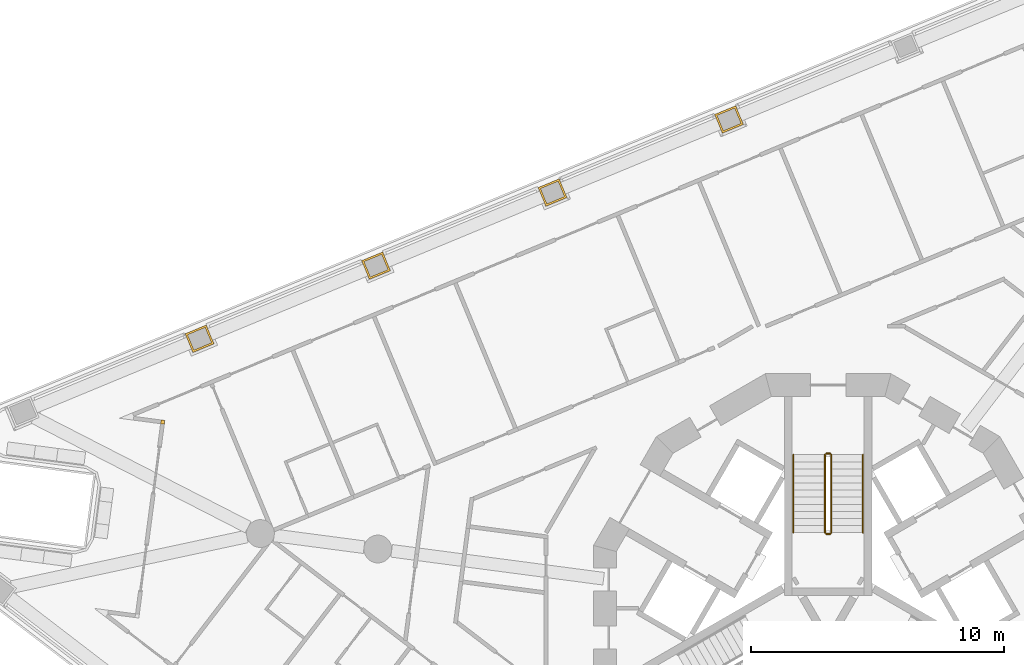
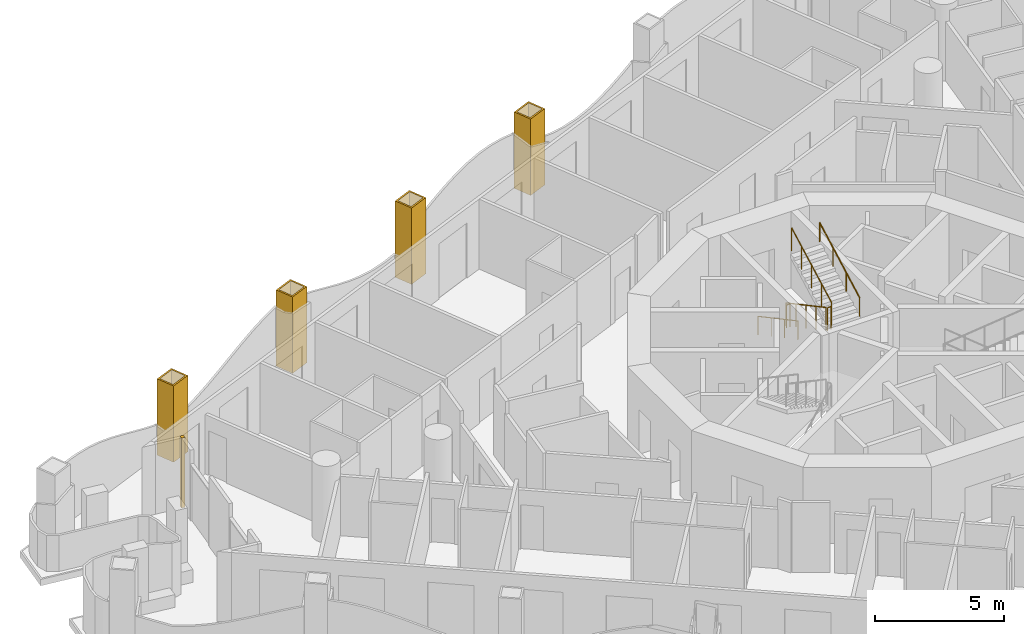
# One storey, part 15 of 17: 6 railings, 5 coverings.
"""IFC4 building model written with IfcOpenShell, lengths in metres."""

from ifc_helpers import new_model, si_unit, direction, frame, origin, origin_2d, place, context, subcontext, project, spatial, polyline, circle, outline, extrude, material, layer, layer_set, type_object, element, save


model = new_model("IFC4")

# Units and contexts
model_context = context("Model", 3, precision=1e-05, world=origin(), true_north=direction((0.0, 1.0)))
body_context = subcontext(model_context, "Body", "Model", "MODEL_VIEW")
ifc_project = project(units=[si_unit("LENGTHUNIT", "METRE"), si_unit("AREAUNIT", "SQUARE_METRE"), si_unit("VOLUMEUNIT", "CUBIC_METRE"), si_unit("PLANEANGLEUNIT", "RADIAN"), si_unit("MASSUNIT", "GRAM", prefix="KILO")], contexts=[model_context])

# Site, building, storey
site_placement = place(None, origin())
site = spatial("IfcSite", under=ifc_project, at=site_placement, CompositionType="ELEMENT")
building_placement = place(site_placement, origin())
building = spatial("IfcBuilding", under=site, at=building_placement, Name="Trine Commons Tower", CompositionType="ELEMENT")
storey_placement = place(building_placement, frame((0.0, 0.0, 127.800048828125)))
storey = spatial("IfcBuildingStorey", under=building, at=storey_placement, Name="L32", CompositionType="ELEMENT", Elevation=127.800048828125)

# Coverings
ifc_material_1 = material(Name="Aluminium-framed insulated wall panel", Category="aluminium")
ifc_layer_1 = layer(ifc_material_1, 0.14990234375)
ifc_layer_set_1 = layer_set([ifc_layer_1], Name="Aluminium-framed insulated wall panel")
covering_type_1 = type_object("IfcCoveringType", Name="Glazing corner post, aluminium", PredefinedType="CLADDING", material=ifc_layer_set_1)
covering_1_placement = place(storey_placement, origin())
element("IfcCovering", 1, at=covering_1_placement, inside=storey, type_object=covering_type_1, Name="Glazing corner post 4-03", PredefinedType="CLADDING", context=body_context, shape_type="SweptSolid", body=[
    extrude(outline(polyline([(53.610107421875, 69.797119140625), (53.7587890625, 69.77734375), (53.778564453125, 69.926025390625), (53.6298828125, 69.94580078125), (53.610107421875, 69.797119140625)])), origin(), (0.0, 0.0, 1.0), 3.300048828125),
])
ifc_material_2 = material(Name="Limestone, honed", Category="masonry")
ifc_layer_2 = layer(ifc_material_2, 0.074951171875)
ifc_layer_set_2 = layer_set([ifc_layer_2], Name="Limestone, honed")
covering_type_2 = type_object("IfcCoveringType", Name="Limestone column cladding 75", PredefinedType="CLADDING", material=ifc_layer_set_2)
covering_2_placement = place(storey_placement, origin())
element("IfcCovering", 2, at=covering_2_placement, inside=storey, type_object=covering_type_2, Name="Limestone pier cladding 4-10", PredefinedType="CLADDING", context=body_context, shape_type="SweptSolid", body=[
    extrude(outline(polyline([(55.719970703125, 72.957763671875), (55.413818359375, 73.69677734375), (54.582275390625, 73.352294921875), (54.888427734375, 72.61328125), (55.719970703125, 72.957763671875)]), holes=[polyline([(55.621826171875, 72.998291015625), (55.373291015625, 73.598876953125), (54.680419921875, 73.311767578125), (54.928955078125, 72.711181640625), (55.621826171875, 72.998291015625)])]), origin(), (0.0, 0.0, 1.0), 3.599853515625),
])
covering_3_placement = place(storey_placement, origin())
element("IfcCovering", 3, at=covering_3_placement, inside=storey, type_object=covering_type_2, Name="Limestone pier cladding 4-11", PredefinedType="CLADDING", context=body_context, shape_type="SweptSolid", body=[
    extrude(outline(polyline([(62.697021484375, 75.84765625), (62.390869140625, 76.5869140625), (61.559326171875, 76.2421875), (61.865478515625, 75.503173828125), (62.697021484375, 75.84765625)]), holes=[polyline([(62.59912109375, 75.88818359375), (62.350341796875, 76.48876953125), (61.657470703125, 76.201904296875), (61.906005859375, 75.601318359375), (62.59912109375, 75.88818359375)])]), origin(), (0.0, 0.0, 1.0), 3.599853515625),
])
covering_4_placement = place(storey_placement, origin())
element("IfcCovering", 4, at=covering_4_placement, inside=storey, type_object=covering_type_2, Name="Limestone pier cladding 4-12", PredefinedType="CLADDING", context=body_context, shape_type="SweptSolid", body=[
    extrude(outline(polyline([(69.674072265625, 78.73779296875), (69.367919921875, 79.476806640625), (68.53662109375, 79.13232421875), (68.842529296875, 78.393310546875), (69.674072265625, 78.73779296875)]), holes=[polyline([(69.576171875, 78.7783203125), (69.327392578125, 79.37890625), (68.634521484375, 79.091796875), (68.88330078125, 78.4912109375), (69.576171875, 78.7783203125)])]), origin(), (0.0, 0.0, 1.0), 3.599853515625),
])
covering_5_placement = place(storey_placement, origin())
element("IfcCovering", 5, at=covering_5_placement, inside=storey, type_object=covering_type_2, Name="Limestone pier cladding 4-13", PredefinedType="CLADDING", context=body_context, shape_type="SweptSolid", body=[
    extrude(outline(polyline([(76.651123046875, 81.627685546875), (76.34521484375, 82.366943359375), (75.513671875, 82.0224609375), (75.819580078125, 81.283203125), (76.651123046875, 81.627685546875)]), holes=[polyline([(76.55322265625, 81.668212890625), (76.304443359375, 82.268798828125), (75.611572265625, 81.98193359375), (75.8603515625, 81.38134765625), (76.55322265625, 81.668212890625)])]), origin(), (0.0, 0.0, 1.0), 3.599853515625),
])

# Railings
ifc_material_3 = material(Name="Stainless steel balustrade", Category="steel")
railing_type_1 = type_object("IfcRailingType", Name="Stair guard, steel balustrade 1100", PredefinedType="GUARDRAIL", material=ifc_material_3)
railing_1_placement = place(storey_placement, frame((79.875, 68.570556640625, 0.14990234375)))
element("IfcRailing", 6, at=railing_1_placement, inside=storey, type_object=railing_type_1, Name="L32 ST1B stair guard 1", PredefinedType="GUARDRAIL", context=body_context, shape_type="SweptSolid", body=[
    extrude(circle(Radius=0.02392578125, at=origin_2d()), frame((0.0, 0.0, 1.076171875), z_axis=(0.0, -0.881467505477, 0.472244678941), x_axis=(1.0, 0.0, 0.0)), (0.0, 0.0, 1.0), 3.494140625),
    extrude(circle(Radius=0.02099609375, at=origin_2d()), origin(), (0.0, 0.0, 1.0), 1.052001953125),
    extrude(circle(Radius=0.02099609375, at=origin_2d()), frame((0.0, -0.77001953125, 0.41259765625)), (0.0, 0.0, 1.0), 1.052001953125),
    extrude(circle(Radius=0.02099609375, at=origin_2d()), frame((0.0, -1.5400390625, 0.8251953125)), (0.0, 0.0, 1.0), 1.052001953125),
    extrude(circle(Radius=0.02099609375, at=origin_2d()), frame((0.0, -2.31005859375, 1.237548828125)), (0.0, 0.0, 1.0), 1.052001953125),
    extrude(circle(Radius=0.02099609375, at=origin_2d()), frame((0.0, -3.080078125, 1.650146484375)), (0.0, 0.0, 1.0), 1.052001953125),
])
railing_2_placement = place(storey_placement, frame((79.925048828125, 65.440673828125, 1.800048828125)))
element("IfcRailing", 7, at=railing_2_placement, inside=storey, type_object=railing_type_1, Name="L32 ST1B stair guard 2", PredefinedType="GUARDRAIL", context=body_context, shape_type="SweptSolid", body=[
    extrude(circle(Radius=0.02392578125, at=origin_2d()), frame((0.0, 0.0, 1.076171875), z_axis=(1.0, 0.0, 0.0), x_axis=(0.0, 1.0, 0.0)), (0.0, 0.0, 1.0), 0.14990234375),
    extrude(circle(Radius=0.02099609375, at=origin_2d()), origin(), (0.0, 0.0, 1.0), 1.052001953125),
    extrude(circle(Radius=0.02099609375, at=origin_2d()), frame((0.14990234375, 0.0, 0.0)), (0.0, 0.0, 1.0), 1.052001953125),
])
railing_3_placement = place(storey_placement, frame((80.125, 65.490478515625, 1.949951171875)))
element("IfcRailing", 8, at=railing_3_placement, inside=storey, type_object=railing_type_1, Name="L32 ST1B stair guard 3", PredefinedType="GUARDRAIL", context=body_context, shape_type="SweptSolid", body=[
    extrude(circle(Radius=0.02392578125, at=origin_2d()), frame((0.0, 0.0, 1.076171875), z_axis=(0.0, 0.881496589024, 0.472190389079), x_axis=(-1.0, 0.0, 0.0)), (0.0, 0.0, 1.0), 3.494140625),
    extrude(circle(Radius=0.02099609375, at=origin_2d()), origin(), (0.0, 0.0, 1.0), 1.052001953125),
    extrude(circle(Radius=0.02099609375, at=origin_2d()), frame((0.0, 0.77001953125, 0.41259765625)), (0.0, 0.0, 1.0), 1.052001953125),
    extrude(circle(Radius=0.02099609375, at=origin_2d()), frame((0.0, 1.5400390625, 0.824951171875)), (0.0, 0.0, 1.0), 1.052001953125),
    extrude(circle(Radius=0.02099609375, at=origin_2d()), frame((0.0, 2.31005859375, 1.2373046875)), (0.0, 0.0, 1.0), 1.052001953125),
    extrude(circle(Radius=0.02099609375, at=origin_2d()), frame((0.0, 3.080078125, 1.64990234375)), (0.0, 0.0, 1.0), 1.052001953125),
])
railing_4_placement = place(storey_placement, frame((79.925048828125, 68.62060546875, 0.0)))
element("IfcRailing", 9, at=railing_4_placement, inside=storey, type_object=railing_type_1, Name="L32 ST1B stair guard 4", PredefinedType="GUARDRAIL", context=body_context, shape_type="SweptSolid", body=[
    extrude(circle(Radius=0.02392578125, at=origin_2d()), frame((0.0, 0.0, 1.076171875), z_axis=(1.0, 0.0, 0.0), x_axis=(0.0, 1.0, 0.0)), (0.0, 0.0, 1.0), 0.14990234375),
    extrude(circle(Radius=0.02099609375, at=origin_2d()), origin(), (0.0, 0.0, 1.0), 1.052001953125),
    extrude(circle(Radius=0.02099609375, at=origin_2d()), frame((0.14990234375, 0.0, 0.0)), (0.0, 0.0, 1.0), 1.052001953125),
])
ifc_material_4 = material(Name="Stainless steel handrail", Category="steel")
railing_type_2 = type_object("IfcRailingType", Name="Stair handrail, steel 900", PredefinedType="HANDRAIL", material=ifc_material_4)
railing_5_placement = place(storey_placement, frame((78.625, 68.570556640625, 0.14990234375)))
element("IfcRailing", 10, at=railing_5_placement, inside=storey, type_object=railing_type_2, Name="L32 ST1B stair handrail 1", PredefinedType="HANDRAIL", context=body_context, shape_type="SweptSolid", body=[
    extrude(circle(Radius=0.02099609375, at=origin_2d()), frame((0.0, 0.0, 0.87890625), z_axis=(0.0, -0.881467505477, 0.472244678941), x_axis=(1.0, 0.0, 0.0)), (0.0, 0.0, 1.0), 3.494140625),
    extrude(circle(Radius=0.01513671875, at=origin_2d()), origin(), (0.0, 0.0, 1.0), 0.85791015625),
    extrude(circle(Radius=0.01513671875, at=origin_2d()), frame((0.0, -1.026611328125, 0.550048828125)), (0.0, 0.0, 1.0), 0.85791015625),
    extrude(circle(Radius=0.01513671875, at=origin_2d()), frame((0.0, -2.053466796875, 1.10009765625)), (0.0, 0.0, 1.0), 0.85791015625),
    extrude(circle(Radius=0.01513671875, at=origin_2d()), frame((0.0, -3.080078125, 1.650146484375)), (0.0, 0.0, 1.0), 0.85791015625),
])
railing_6_placement = place(storey_placement, frame((81.375, 65.490478515625, 1.949951171875)))
element("IfcRailing", 11, at=railing_6_placement, inside=storey, type_object=railing_type_2, Name="L32 ST1B stair handrail 2", PredefinedType="HANDRAIL", context=body_context, shape_type="SweptSolid", body=[
    extrude(circle(Radius=0.02099609375, at=origin_2d()), frame((0.0, 0.0, 0.87890625), z_axis=(0.0, 0.881496589024, 0.472190389079), x_axis=(-1.0, 0.0, 0.0)), (0.0, 0.0, 1.0), 3.494140625),
    extrude(circle(Radius=0.01513671875, at=origin_2d()), origin(), (0.0, 0.0, 1.0), 0.85791015625),
    extrude(circle(Radius=0.01513671875, at=origin_2d()), frame((0.0, 1.026611328125, 0.550048828125)), (0.0, 0.0, 1.0), 0.85791015625),
    extrude(circle(Radius=0.01513671875, at=origin_2d()), frame((0.0, 2.053466796875, 1.099853515625)), (0.0, 0.0, 1.0), 0.85791015625),
    extrude(circle(Radius=0.01513671875, at=origin_2d()), frame((0.0, 3.080078125, 1.64990234375)), (0.0, 0.0, 1.0), 0.85791015625),
])

save(model, "model.ifc")
